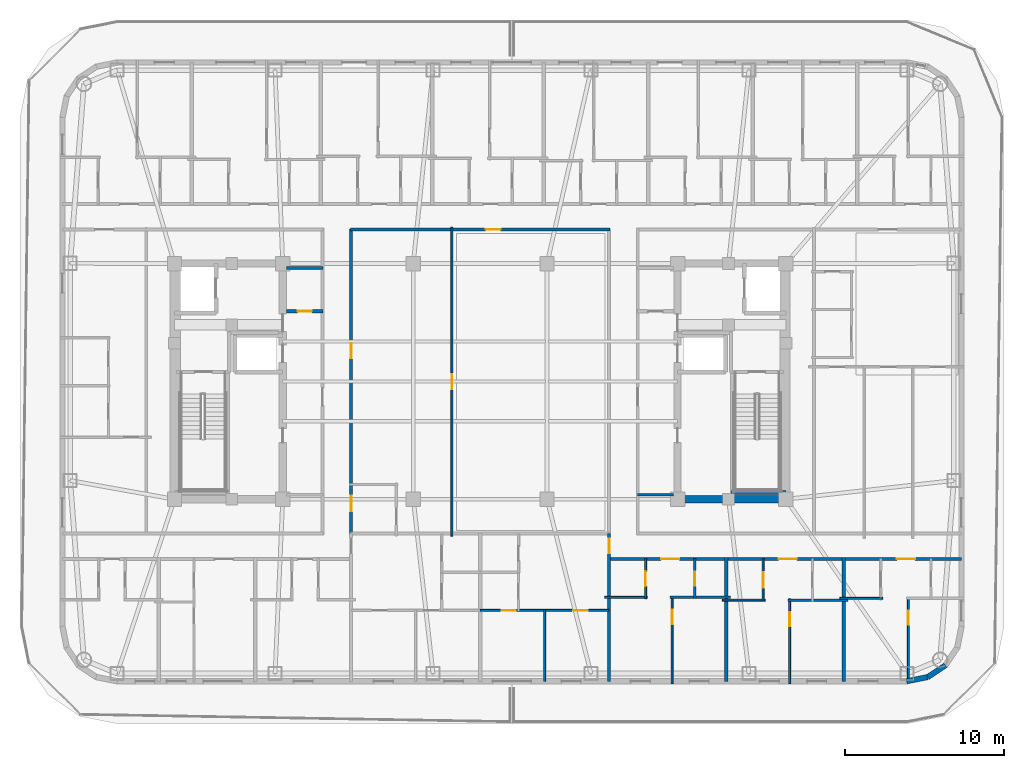
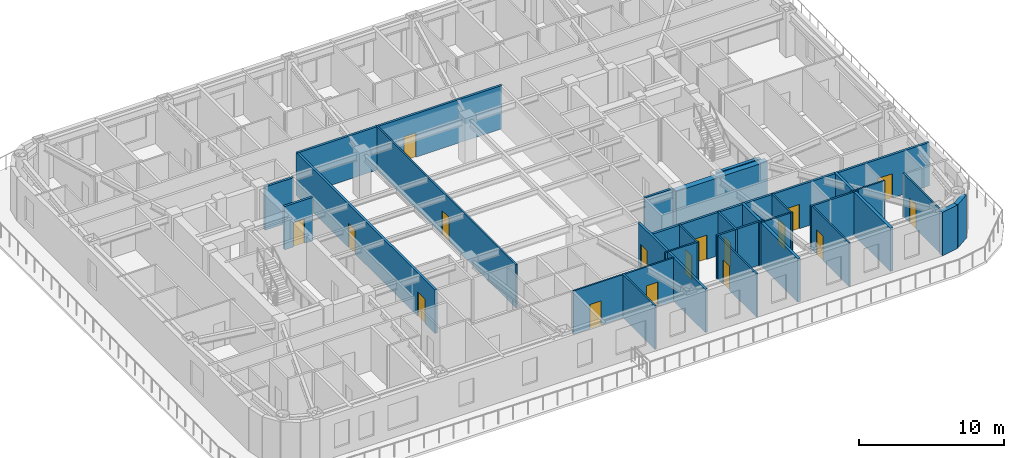
# One storey, part 5 of 15: 27 walls, 17 doors, 17 openings.
"""IFC4 building model written with IfcOpenShell, lengths in metres."""

from ifc_helpers import new_model, si_unit, direction, frame, frame_2d, origin, place, context, subcontext, project, spatial, rectangle, extrude, material, layer, layer_set, type_object, element, fill, save


model = new_model("IFC4")

# Units and contexts
model_context = context("Model", 3, precision=1e-05, world=origin(), true_north=direction((0.0, 1.0)))
body_context = subcontext(model_context, "Body", "Model", "MODEL_VIEW")
ifc_project = project(units=[si_unit("LENGTHUNIT", "METRE"), si_unit("AREAUNIT", "SQUARE_METRE"), si_unit("VOLUMEUNIT", "CUBIC_METRE"), si_unit("PLANEANGLEUNIT", "RADIAN"), si_unit("MASSUNIT", "GRAM", prefix="KILO")], contexts=[model_context])

# Site, building, storey
site_placement = place(None, origin())
site = spatial("IfcSite", under=ifc_project, at=site_placement, CompositionType="ELEMENT")
building_placement = place(site_placement, origin())
building = spatial("IfcBuilding", under=site, at=building_placement, Name="Voryun Gate Residences", CompositionType="ELEMENT")
storey_placement = place(building_placement, frame((0.0, 0.0, 231.39990234375)))
storey = spatial("IfcBuildingStorey", under=building, at=storey_placement, Name="L57", CompositionType="ELEMENT", Elevation=231.39990234375)

# Walls
ifc_material_1 = material(Name="Concrete C50/60", Category="concrete")
ifc_layer_1 = layer(ifc_material_1, 0.449951171875, Name="CW_CORE_450")
ifc_layer_set_1 = layer_set([ifc_layer_1], Name="Concrete C50/60")
wall_type_1 = type_object("IfcWallType", Name="CW_CORE_450", PredefinedType="SHEAR", material=ifc_layer_set_1)
wall_1_placement = place(storey_placement, frame((12.175048828125, -7.39990234375, 0.0), z_axis=(0.0, 0.0, 1.0), x_axis=(1.0, 0.0, 0.0)))
element("IfcWall", 1, at=wall_1_placement, inside=storey, type_object=wall_type_1, Name="L57 Core shear wall CW-L57-ES", PredefinedType="SHEAR", context=body_context, shape_type="SweptSolid", body=[
    extrude(rectangle(XDim=7.25, YDim=0.449951171875, at=frame_2d((3.625, 0.0))), origin(), (0.0, 0.0, 1.0), 3.650146484375),
])
ifc_material_2 = material(Name="Gypsum acoustic fireboard")
ifc_layer_2 = layer(ifc_material_2, 0.179931640625, Name="W_CORR_RATED_180")
ifc_layer_set_2 = layer_set([ifc_layer_2], Name="Gypsum acoustic fireboard")
wall_type_2 = type_object("IfcWallType", Name="W_CORR_RATED_180", PredefinedType="PARTITIONING", material=ifc_layer_set_2)
for number, where, z_axis, x_axis, name in (
    (2, (-12.14990234375, 7.1201171875, 0.0), (0.0, 0.0, 1.0), (1.0, 0.0, 0.0), "Partition wall WP-L57-PLBN-W"),
    (3, (9.8798828125, -7.1201171875, 0.0), (0.0, 0.0, 1.0), (1.0, 0.0, 0.0), "Partition wall WP-L57-PLBS-E"),
):
    element("IfcWall", number, at=place(storey_placement, frame(where, z_axis=z_axis, x_axis=x_axis)), inside=storey, type_object=wall_type_2, Name=name, PredefinedType="PARTITIONING", context=body_context, shape_type="SweptSolid", body=[
        extrude(rectangle(XDim=2.27001953125, YDim=0.179931640625, at=frame_2d((1.135009765625, 0.0))), origin(), (0.0, 0.0, 1.0), 3.650146484375),
    ])

# Wall, opening, door
wall_2_placement = place(storey_placement, frame((-8.14990234375, 9.5400390625, 0.0), z_axis=(0.0, 0.0, 1.0), x_axis=(1.0, 0.0, 0.0)))
wall_2 = element("IfcWall", 4, at=wall_2_placement, inside=storey, type_object=wall_type_2, Name="Partition wall WP-L57-Z3N", PredefinedType="PARTITIONING", context=body_context, shape_type="SweptSolid", body=[
    extrude(rectangle(XDim=16.2998046875, YDim=0.179931640625, at=frame_2d((8.14990234375, 0.0))), origin(), (0.0, 0.0, 1.0), 3.650146484375),
])
opening_1_placement = place(wall_2_placement, frame((8.489990234375, 0.0, 0.0)))
opening_1 = element("IfcOpeningElement", 5, at=opening_1_placement, cuts=wall_2, Name="Opening D-INT-1", PredefinedType="OPENING", context=body_context, shape_type="SweptSolid", body=[
    extrude(rectangle(XDim=0.949951171875, YDim=2.050048828125, at=frame_2d((0.47509765625, 1.02490234375))), frame((0.0, 0.099853515625, 0.0), z_axis=(0.0, -1.0, 0.0), x_axis=(1.0, 0.0, 0.0)), (0.0, 0.0, 1.0), 0.199951171875),
])
ifc_material_3 = material(Name="Architectural oak veneer")
door_type_1 = type_object("IfcDoorType", Name="DR_INT_ROOM_950", OperationType="NOTDEFINED", PredefinedType="DOOR", material=ifc_material_3)
door_1_placement = place(opening_1_placement, origin())
door_1 = element("IfcDoor", 6, at=door_1_placement, inside=storey, type_object=door_type_1, Name="Door DR-L57-CMIDZ3N", OperationType="SINGLE_SWING_LEFT", OverallHeight=2.050048828125, OverallWidth=0.949951171875, PredefinedType="DOOR", context=body_context, shape_type="SweptSolid", body=[
    extrude(rectangle(XDim=0.949951171875, YDim=2.050048828125, at=frame_2d((0.47509765625, 1.02490234375))), frame((0.0, 0.02490234375, 0.0), z_axis=(0.0, -1.0, 0.0), x_axis=(1.0, 0.0, 0.0)), (0.0, 0.0, 1.0), 0.050048828125),
])
fill(opening_1, door_1)

# Wall, openings, doors
wall_3_placement = place(storey_placement, frame((-8.10009765625, -9.580078125, 0.0), z_axis=(0.0, 0.0, 1.0), x_axis=(0.0, 1.0, 0.0)))
wall_3 = element("IfcWall", 7, at=wall_3_placement, inside=storey, type_object=wall_type_2, Name="Partition wall WP-L57-Z3W", PredefinedType="PARTITIONING", context=body_context, shape_type="SweptSolid", body=[
    extrude(rectangle(XDim=19.16015625, YDim=0.179931640625, at=frame_2d((9.580078125, 0.0))), origin(), (0.0, 0.0, 1.0), 3.650146484375),
])
opening_2_placement = place(wall_3_placement, frame((1.416015625, 0.0, 0.0)))
opening_2 = element("IfcOpeningElement", 8, at=opening_2_placement, cuts=wall_3, Name="Opening D-AWC-1", PredefinedType="OPENING", context=body_context, shape_type="SweptSolid", body=[
    extrude(rectangle(XDim=1.0, YDim=2.050048828125, at=frame_2d((0.5, 1.02490234375))), frame((0.0, 0.099853515625, 0.0), z_axis=(0.0, -1.0, 0.0), x_axis=(1.0, 0.0, 0.0)), (0.0, 0.0, 1.0), 0.199951171875),
])
opening_3_placement = place(wall_3_placement, frame((11.02099609375, 0.0, 0.0)))
opening_3 = element("IfcOpeningElement", 9, at=opening_3_placement, cuts=wall_3, Name="Opening D-INT-1", PredefinedType="OPENING", context=body_context, shape_type="SweptSolid", body=[
    extrude(rectangle(XDim=0.949951171875, YDim=2.050048828125, at=frame_2d((0.47509765625, 1.02490234375))), frame((0.0, 0.099853515625, 0.0), z_axis=(0.0, -1.0, 0.0), x_axis=(1.0, 0.0, 0.0)), (0.0, 0.0, 1.0), 0.199951171875),
])
ifc_material_4 = material(Name="Architectural oak veneer")
door_type_2 = type_object("IfcDoorType", Name="DR_ACC_WC_1000", OperationType="NOTDEFINED", PredefinedType="DOOR", material=ifc_material_4)
door_2_placement = place(opening_2_placement, origin())
door_2 = element("IfcDoor", 10, at=door_2_placement, inside=storey, type_object=door_type_2, Name="Door DR-L57-CMWC-D", OperationType="SINGLE_SWING_LEFT", OverallHeight=2.050048828125, OverallWidth=1.0, PredefinedType="DOOR", context=body_context, shape_type="SweptSolid", body=[
    extrude(rectangle(XDim=1.0, YDim=2.050048828125, at=frame_2d((0.5, 1.02490234375))), frame((0.0, 0.02490234375, 0.0), z_axis=(0.0, -1.0, 0.0), x_axis=(1.0, 0.0, 0.0)), (0.0, 0.0, 1.0), 0.050048828125),
])
fill(opening_2, door_2)
door_3_placement = place(opening_3_placement, origin())
door_3 = element("IfcDoor", 11, at=door_3_placement, inside=storey, type_object=door_type_1, Name="Door DR-L57-CMIDZ3W", OperationType="SINGLE_SWING_RIGHT", OverallHeight=2.050048828125, OverallWidth=0.949951171875, PredefinedType="DOOR", context=body_context, shape_type="SweptSolid", body=[
    extrude(rectangle(XDim=0.949951171875, YDim=2.050048828125, at=frame_2d((0.47509765625, 1.02490234375))), frame((0.0, 0.02490234375, 0.0), z_axis=(0.0, -1.0, 0.0), x_axis=(1.0, 0.0, 0.0)), (0.0, 0.0, 1.0), 0.050048828125),
])
fill(opening_3, door_3)

wall_4_placement = place(storey_placement, frame((8.080078125, -11.14990234375, 0.0), z_axis=(0.0, 0.0, 1.0), x_axis=(1.0, 0.0, 0.0)))
wall_4 = element("IfcWall", 12, at=wall_4_placement, inside=storey, type_object=wall_type_2, Name="Partition wall WP-L57-SCORR-E", PredefinedType="PARTITIONING", context=body_context, shape_type="SweptSolid", body=[
    extrude(rectangle(XDim=22.14990234375, YDim=0.179931640625, at=frame_2d((11.074951171875, 0.0))), origin(), (0.0, 0.0, 1.0), 3.650146484375),
])
opening_4_placement = place(wall_4_placement, frame((3.283447265625, 0.0, 0.0)))
opening_4 = element("IfcOpeningElement", 13, at=opening_4_placement, cuts=wall_4, Name="Opening D-UNIT-1", PredefinedType="OPENING", context=body_context, shape_type="SweptSolid", body=[
    extrude(rectangle(XDim=1.14990234375, YDim=2.050048828125, at=frame_2d((0.574951171875, 1.02490234375))), frame((0.0, 0.099853515625, 0.0), z_axis=(0.0, -1.0, 0.0), x_axis=(1.0, 0.0, 0.0)), (0.0, 0.0, 1.0), 0.199951171875),
])
opening_5_placement = place(wall_4_placement, frame((10.668212890625, 0.0, 0.0)))
opening_5 = element("IfcOpeningElement", 14, at=opening_5_placement, cuts=wall_4, Name="Opening D-UNIT-1", PredefinedType="OPENING", context=body_context, shape_type="SweptSolid", body=[
    extrude(rectangle(XDim=1.14990234375, YDim=2.050048828125, at=frame_2d((0.574951171875, 1.02490234375))), frame((0.0, 0.099853515625, 0.0), z_axis=(0.0, -1.0, 0.0), x_axis=(1.0, 0.0, 0.0)), (0.0, 0.0, 1.0), 0.199951171875),
])
opening_6_placement = place(wall_4_placement, frame((18.084228515625, 0.0, 0.0)))
opening_6 = element("IfcOpeningElement", 15, at=opening_6_placement, cuts=wall_4, Name="Opening D-UNIT-1", PredefinedType="OPENING", context=body_context, shape_type="SweptSolid", body=[
    extrude(rectangle(XDim=1.14990234375, YDim=2.050048828125, at=frame_2d((0.574951171875, 1.02490234375))), frame((0.0, 0.099853515625, 0.0), z_axis=(0.0, -1.0, 0.0), x_axis=(1.0, 0.0, 0.0)), (0.0, 0.0, 1.0), 0.199951171875),
])
ifc_material_5 = material(Name="Armoured timber-clad fire door", Category="wood")
door_type_3 = type_object("IfcDoorType", Name="DR_UNIT_ENTRY_1150", OperationType="NOTDEFINED", PredefinedType="DOOR", material=ifc_material_5)
door_4_placement = place(opening_4_placement, origin())
door_4 = element("IfcDoor", 16, at=door_4_placement, inside=storey, type_object=door_type_3, Name="Door DR-L57-SENT-5", OperationType="SINGLE_SWING_RIGHT", OverallHeight=2.050048828125, OverallWidth=1.14990234375, PredefinedType="DOOR", context=body_context, shape_type="SweptSolid", body=[
    extrude(rectangle(XDim=1.14990234375, YDim=2.050048828125, at=frame_2d((0.574951171875, 1.02490234375))), frame((0.0, 0.02490234375, 0.0), z_axis=(0.0, -1.0, 0.0), x_axis=(1.0, 0.0, 0.0)), (0.0, 0.0, 1.0), 0.050048828125),
])
fill(opening_4, door_4)
door_5_placement = place(opening_5_placement, origin())
door_5 = element("IfcDoor", 17, at=door_5_placement, inside=storey, type_object=door_type_3, Name="Door DR-L57-SENT-6", OperationType="SINGLE_SWING_LEFT", OverallHeight=2.050048828125, OverallWidth=1.14990234375, PredefinedType="DOOR", context=body_context, shape_type="SweptSolid", body=[
    extrude(rectangle(XDim=1.14990234375, YDim=2.050048828125, at=frame_2d((0.574951171875, 1.02490234375))), frame((0.0, 0.02490234375, 0.0), z_axis=(0.0, -1.0, 0.0), x_axis=(1.0, 0.0, 0.0)), (0.0, 0.0, 1.0), 0.050048828125),
])
fill(opening_5, door_5)
door_6_placement = place(opening_6_placement, origin())
door_6 = element("IfcDoor", 18, at=door_6_placement, inside=storey, type_object=door_type_3, Name="Door DR-L57-SENT-7", OperationType="SINGLE_SWING_RIGHT", OverallHeight=2.050048828125, OverallWidth=1.14990234375, PredefinedType="DOOR", context=body_context, shape_type="SweptSolid", body=[
    extrude(rectangle(XDim=1.14990234375, YDim=2.050048828125, at=frame_2d((0.574951171875, 1.02490234375))), frame((0.0, 0.02490234375, 0.0), z_axis=(0.0, -1.0, 0.0), x_axis=(1.0, 0.0, 0.0)), (0.0, 0.0, 1.0), 0.050048828125),
])
fill(opening_6, door_6)

# Wall, opening, door
wall_5_placement = place(storey_placement, frame((8.10009765625, -18.830078125, 0.0), z_axis=(0.0, 0.0, 1.0), x_axis=(0.0, 1.0, 0.0)))
wall_5 = element("IfcWall", 19, at=wall_5_placement, inside=storey, type_object=wall_type_2, Name="Partition wall WP-L57-SZV-2", PredefinedType="PARTITIONING", context=body_context, shape_type="SweptSolid", body=[
    extrude(rectangle(XDim=9.2900390625, YDim=0.179931640625, at=frame_2d((4.64501953125, 0.0))), origin(), (0.0, 0.0, 1.0), 3.650146484375),
])
opening_7_placement = place(wall_5_placement, frame((8.0400390625, 0.0, 0.0)))
opening_7 = element("IfcOpeningElement", 20, at=opening_7_placement, cuts=wall_5, Name="Opening D-INT-2", PredefinedType="OPENING", context=body_context, shape_type="SweptSolid", body=[
    extrude(rectangle(XDim=0.89990234375, YDim=2.050048828125, at=frame_2d((0.449951171875, 1.02490234375))), frame((0.0, 0.099853515625, 0.0), z_axis=(0.0, -1.0, 0.0), x_axis=(1.0, 0.0, 0.0)), (0.0, 0.0, 1.0), 0.199951171875),
])
ifc_material_6 = material(Name="Architectural oak veneer")
door_type_4 = type_object("IfcDoorType", Name="DR_INT_BATH_900", OperationType="NOTDEFINED", PredefinedType="DOOR", material=ifc_material_6)
door_7_placement = place(opening_7_placement, origin())
door_7 = element("IfcDoor", 21, at=door_7_placement, inside=storey, type_object=door_type_4, Name="Door DR-L57-SZENT-2", OperationType="SINGLE_SWING_RIGHT", OverallHeight=2.050048828125, OverallWidth=0.89990234375, PredefinedType="DOOR", context=body_context, shape_type="SweptSolid", body=[
    extrude(rectangle(XDim=0.89990234375, YDim=2.050048828125, at=frame_2d((0.449951171875, 1.02490234375))), frame((0.0, 0.02490234375, 0.0), z_axis=(0.0, -1.0, 0.0), x_axis=(1.0, 0.0, 0.0)), (0.0, 0.0, 1.0), 0.050048828125),
])
fill(opening_7, door_7)

# Walls
ifc_material_7 = material(Name="Charcoal terracotta masonry", Category="masonry")
ifc_layer_3 = layer(ifc_material_7, 0.340087890625, Name="W_EXT_TERRACOTTA_340")
ifc_layer_set_3 = layer_set([ifc_layer_3], Name="Charcoal terracotta masonry")
wall_type_3 = type_object("IfcWallType", Name="W_EXT_TERRACOTTA_340", PredefinedType="ELEMENTEDWALL", material=ifc_layer_set_3)
wall_6_placement = place(storey_placement, frame((29.222900390625, -17.822998046875, 0.0), z_axis=(0.0, 0.0, 1.0), x_axis=(-0.831403586725, -0.555669034571, 0.0)))
element("IfcWall", 22, at=wall_6_placement, inside=storey, type_object=wall_type_3, Name="Exterior wall WEXT-L57-19", PredefinedType="ELEMENTEDWALL", context=body_context, shape_type="SweptSolid", body=[
    extrude(rectangle(XDim=1.3369140625, YDim=0.340087890625, at=frame_2d((0.66845703125, 0.0))), origin(), (0.0, 0.0, 1.0), 3.650146484375),
])
wall_7_placement = place(storey_placement, frame((28.111328125, -18.56591796875, 0.0), z_axis=(0.0, 0.0, 1.0), x_axis=(-0.980788153188, -0.195075878998, 0.0)))
element("IfcWall", 23, at=wall_7_placement, inside=storey, type_object=wall_type_3, Name="Exterior wall WEXT-L57-20", PredefinedType="ELEMENTEDWALL", context=body_context, shape_type="SweptSolid", body=[
    extrude(rectangle(XDim=1.354248046875, YDim=0.340087890625, at=frame_2d((0.67724609375, 0.0))), origin(), (0.0, 0.0, 1.0), 3.650146484375),
])

# Wall, opening, door
ifc_material_8 = material(Name="Concrete C40/50", Category="concrete")
ifc_layer_4 = layer(ifc_material_8, 0.199951171875, Name="W_FF_LOBBY_200")
ifc_layer_set_4 = layer_set([ifc_layer_4], Name="Concrete C40/50")
wall_type_4 = type_object("IfcWallType", Name="W_FF_LOBBY_200", PredefinedType="PARTITIONING", material=ifc_layer_set_4)
wall_8_placement = place(storey_placement, frame((-12.14990234375, 4.409912109375, 0.0), z_axis=(0.0, 0.0, 1.0), x_axis=(1.0, 0.0, 0.0)))
wall_8 = element("IfcWall", 24, at=wall_8_placement, inside=storey, type_object=wall_type_4, Name="Partition wall WP-L57-CSFLKS-W", PredefinedType="PARTITIONING", context=body_context, shape_type="SweptSolid", body=[
    extrude(rectangle(XDim=2.27001953125, YDim=0.199951171875, at=frame_2d((1.135009765625, 0.0))), origin(), (0.0, 0.0, 1.0), 3.650146484375),
])
opening_8_placement = place(wall_8_placement, frame((0.68505859375, 0.0, 0.0)))
opening_8 = element("IfcOpeningElement", 25, at=opening_8_placement, cuts=wall_8, Name="Opening D-FD60-4", PredefinedType="OPENING", context=body_context, shape_type="SweptSolid", body=[
    extrude(rectangle(XDim=0.89990234375, YDim=2.050048828125, at=frame_2d((0.449951171875, 1.02490234375))), frame((0.0, 0.110107421875, 0.0), z_axis=(0.0, -1.0, 0.0), x_axis=(1.0, 0.0, 0.0)), (0.0, 0.0, 1.0), 0.219970703125),
])
ifc_material_9 = material(Name="Painted steel fire door", Category="steel")
door_type_5 = type_object("IfcDoorType", Name="DR_FD60_RISER_900", OperationType="NOTDEFINED", PredefinedType="DOOR", material=ifc_material_9)
door_8_placement = place(opening_8_placement, origin())
door_8 = element("IfcDoor", 26, at=door_8_placement, inside=storey, type_object=door_type_5, Name="Door DR-L57-CSFLK-W", OperationType="SINGLE_SWING_LEFT", OverallHeight=2.050048828125, OverallWidth=0.89990234375, PredefinedType="DOOR", context=body_context, shape_type="SweptSolid", body=[
    extrude(rectangle(XDim=0.89990234375, YDim=2.050048828125, at=frame_2d((0.449951171875, 1.02490234375))), frame((0.0, 0.02490234375, 0.0), z_axis=(0.0, -1.0, 0.0), x_axis=(1.0, 0.0, 0.0)), (0.0, 0.0, 1.0), 0.050048828125),
])
fill(opening_8, door_8)

# Walls
ifc_material_10 = material(Name="Concrete C40/50", Category="concrete")
ifc_layer_5 = layer(ifc_material_10, 0.219970703125, Name="W_PARTY_ACOUSTIC_220")
ifc_layer_set_5 = layer_set([ifc_layer_5], Name="Concrete C40/50")
wall_type_5 = type_object("IfcWallType", Name="W_PARTY_ACOUSTIC_220", PredefinedType="PARTITIONING", material=ifc_layer_set_5)
for number, where, z_axis, x_axis, name in (
    (27, (15.466064453125, -18.830078125, 0.0), (0.0, 0.0, 1.0), (0.0, 1.0, 0.0), "Partition wall WP-L57-SPTY-5"),
    (28, (22.85107421875, -18.830078125, 0.0), (0.0, 0.0, 1.0), (0.0, 1.0, 0.0), "Partition wall WP-L57-SPTY-6"),
):
    element("IfcWall", number, at=place(storey_placement, frame(where, z_axis=z_axis, x_axis=x_axis)), inside=storey, type_object=wall_type_5, Name=name, PredefinedType="PARTITIONING", context=body_context, shape_type="SweptSolid", body=[
        extrude(rectangle(XDim=7.760009765625, YDim=0.219970703125, at=frame_2d((3.8798828125, 0.0))), origin(), (0.0, 0.0, 1.0), 3.650146484375),
    ])
ifc_material_11 = material(Name="Concrete C50/60", Category="concrete")
ifc_layer_6 = layer(ifc_material_11, 0.25, Name="W_SHAFT_RC250")
ifc_layer_set_6 = layer_set([ifc_layer_6], Name="Concrete C50/60")
wall_type_6 = type_object("IfcWallType", Name="W_SHAFT_RC250", PredefinedType="SOLIDWALL", material=ifc_layer_set_6)
wall_9_placement = place(storey_placement, frame((15.739990234375, -6.965087890625, 0.0), z_axis=(0.0, 0.0, 1.0), x_axis=(1.0, 0.0, 0.0)))
element("IfcWall", 29, at=wall_9_placement, inside=storey, type_object=wall_type_6, Name="L57 Stair shaft structural wall E-STS", PredefinedType="SOLIDWALL", context=body_context, shape_type="SweptSolid", body=[
    extrude(rectangle(XDim=3.4599609375, YDim=0.25, at=frame_2d((1.72998046875, 0.0))), origin(), (0.0, 0.0, 1.0), 3.650146484375),
])

# Wall, opening, door
ifc_material_12 = material(Name="Gypsum acoustic partition")
ifc_layer_7 = layer(ifc_material_12, 0.125, Name="W_UNIT_PART_125")
ifc_layer_set_7 = layer_set([ifc_layer_7], Name="Gypsum acoustic partition")
wall_type_7 = type_object("IfcWallType", Name="W_UNIT_PART_125", PredefinedType="PARTITIONING", material=ifc_layer_set_7)
wall_10_placement = place(storey_placement, frame((-1.77294921875, -9.719970703125, 0.0), z_axis=(0.0, 0.0, 1.0), x_axis=(0.0, 1.0, 0.0)))
wall_10 = element("IfcWall", 30, at=wall_10_placement, inside=storey, type_object=wall_type_7, Name="Partition wall WP-L57-MIDX-0", PredefinedType="PARTITIONING", context=body_context, shape_type="SweptSolid", body=[
    extrude(rectangle(XDim=19.389892578125, YDim=0.125, at=frame_2d((9.69482421875, 0.0))), origin(), (0.0, 0.0, 1.0), 3.650146484375),
])
opening_9_placement = place(wall_10_placement, frame((9.219970703125, 0.0, 0.0)))
opening_9 = element("IfcOpeningElement", 31, at=opening_9_placement, cuts=wall_10, Name="Opening D-INT-1", PredefinedType="OPENING", context=body_context, shape_type="SweptSolid", body=[
    extrude(rectangle(XDim=0.949951171875, YDim=2.050048828125, at=frame_2d((0.47509765625, 1.02490234375))), frame((0.0, 0.072509765625, 0.0), z_axis=(0.0, -1.0, 0.0), x_axis=(1.0, 0.0, 0.0)), (0.0, 0.0, 1.0), 0.14501953125),
])
door_9_placement = place(opening_9_placement, origin())
door_9 = element("IfcDoor", 32, at=door_9_placement, inside=storey, type_object=door_type_1, Name="Door DR-L57-MIDX-0", OperationType="SINGLE_SWING_LEFT", OverallHeight=2.050048828125, OverallWidth=0.949951171875, PredefinedType="DOOR", context=body_context, shape_type="SweptSolid", body=[
    extrude(rectangle(XDim=0.949951171875, YDim=2.050048828125, at=frame_2d((0.47509765625, 1.02490234375))), frame((0.0, 0.02490234375, 0.0), z_axis=(0.0, -1.0, 0.0), x_axis=(1.0, 0.0, 0.0)), (0.0, 0.0, 1.0), 0.050048828125),
])
fill(opening_9, door_9)

wall_11_placement = place(storey_placement, frame((12.055908203125, -18.97998046875, 0.0), z_axis=(0.0, 0.0, 1.0), x_axis=(0.0, 1.0, 0.0)))
wall_11 = element("IfcWall", 33, at=wall_11_placement, inside=storey, type_object=wall_type_7, Name="Partition wall WP-L57-S5-OVR", PredefinedType="PARTITIONING", context=body_context, shape_type="SweptSolid", body=[
    extrude(rectangle(XDim=5.493896484375, YDim=0.125, at=frame_2d((2.7470703125, 0.0))), origin(), (0.0, 0.0, 1.0), 3.650146484375),
])
opening_10_placement = place(wall_11_placement, frame((3.725341796875, 0.0, 0.0)))
opening_10 = element("IfcOpeningElement", 34, at=opening_10_placement, cuts=wall_11, Name="Opening D-INT-2", PredefinedType="OPENING", context=body_context, shape_type="SweptSolid", body=[
    extrude(rectangle(XDim=0.89990234375, YDim=2.050048828125, at=frame_2d((0.449951171875, 1.02490234375))), frame((0.0, 0.072509765625, 0.0), z_axis=(0.0, -1.0, 0.0), x_axis=(1.0, 0.0, 0.0)), (0.0, 0.0, 1.0), 0.14501953125),
])
door_10_placement = place(opening_10_placement, origin())
door_10 = element("IfcDoor", 35, at=door_10_placement, inside=storey, type_object=door_type_4, Name="Door DR-L57-S5-DMB", OperationType="SINGLE_SWING_RIGHT", OverallHeight=2.050048828125, OverallWidth=0.89990234375, PredefinedType="DOOR", context=body_context, shape_type="SweptSolid", body=[
    extrude(rectangle(XDim=0.89990234375, YDim=2.050048828125, at=frame_2d((0.449951171875, 1.02490234375))), frame((0.0, 0.02490234375, 0.0), z_axis=(0.0, -1.0, 0.0), x_axis=(1.0, 0.0, 0.0)), (0.0, 0.0, 1.0), 0.050048828125),
])
fill(opening_10, door_10)

wall_12_placement = place(storey_placement, frame((10.389892578125, -13.64599609375, 0.0), z_axis=(0.0, 0.0, 1.0), x_axis=(0.0, 1.0, 0.0)))
wall_12 = element("IfcWall", 36, at=wall_12_placement, inside=storey, type_object=wall_type_7, Name="Partition wall WP-L57-S5-IVK", PredefinedType="PARTITIONING", context=body_context, shape_type="SweptSolid", body=[
    extrude(rectangle(XDim=2.51611328125, YDim=0.125, at=frame_2d((1.258056640625, 0.0))), origin(), (0.0, 0.0, 1.0), 3.650146484375),
])
opening_11_placement = place(wall_12_placement, frame((0.782958984375, 0.0, 0.0)))
opening_11 = element("IfcOpeningElement", 37, at=opening_11_placement, cuts=wall_12, Name="Opening D-INT-1", PredefinedType="OPENING", context=body_context, shape_type="SweptSolid", body=[
    extrude(rectangle(XDim=0.949951171875, YDim=2.050048828125, at=frame_2d((0.47509765625, 1.02490234375))), frame((0.0, 0.072509765625, 0.0), z_axis=(0.0, -1.0, 0.0), x_axis=(1.0, 0.0, 0.0)), (0.0, 0.0, 1.0), 0.14501953125),
])
door_11_placement = place(opening_11_placement, origin())
door_11 = element("IfcDoor", 38, at=door_11_placement, inside=storey, type_object=door_type_1, Name="Door DR-L57-S5-DK", OperationType="SINGLE_SWING_LEFT", OverallHeight=2.050048828125, OverallWidth=0.949951171875, PredefinedType="DOOR", context=body_context, shape_type="SweptSolid", body=[
    extrude(rectangle(XDim=0.949951171875, YDim=2.050048828125, at=frame_2d((0.47509765625, 1.02490234375))), frame((0.0, 0.02490234375, 0.0), z_axis=(0.0, -1.0, 0.0), x_axis=(1.0, 0.0, 0.0)), (0.0, 0.0, 1.0), 0.050048828125),
])
fill(opening_11, door_11)

# Wall
wall_13_placement = place(storey_placement, frame((7.820068359375, -13.56591796875, 0.0), z_axis=(0.0, 0.0, 1.0), x_axis=(1.0, 0.0, 0.0)))
element("IfcWall", 39, at=wall_13_placement, inside=storey, type_object=wall_type_7, Name="Partition wall WP-L57-S5-HZK", PredefinedType="PARTITIONING", context=body_context, shape_type="SweptSolid", body=[
    extrude(rectangle(XDim=2.68994140625, YDim=0.125, at=frame_2d((1.344970703125, 0.0))), origin(), (0.0, 0.0, 1.0), 3.650146484375),
])

# Wall, opening, door
wall_14_placement = place(storey_placement, frame((19.44091796875, -18.97998046875, 0.0), z_axis=(0.0, 0.0, 1.0), x_axis=(0.0, 1.0, 0.0)))
wall_14 = element("IfcWall", 40, at=wall_14_placement, inside=storey, type_object=wall_type_7, Name="Partition wall WP-L57-S6-OVR", PredefinedType="PARTITIONING", context=body_context, shape_type="SweptSolid", body=[
    extrude(rectangle(XDim=5.322021484375, YDim=0.125, at=frame_2d((2.6611328125, 0.0))), origin(), (0.0, 0.0, 1.0), 3.650146484375),
])
opening_12_placement = place(wall_14_placement, frame((3.5947265625, 0.0, 0.0)))
opening_12 = element("IfcOpeningElement", 41, at=opening_12_placement, cuts=wall_14, Name="Opening D-INT-2", PredefinedType="OPENING", context=body_context, shape_type="SweptSolid", body=[
    extrude(rectangle(XDim=0.89990234375, YDim=2.050048828125, at=frame_2d((0.449951171875, 1.02490234375))), frame((0.0, 0.072509765625, 0.0), z_axis=(0.0, -1.0, 0.0), x_axis=(1.0, 0.0, 0.0)), (0.0, 0.0, 1.0), 0.14501953125),
])
door_12_placement = place(opening_12_placement, origin())
door_12 = element("IfcDoor", 42, at=door_12_placement, inside=storey, type_object=door_type_4, Name="Door DR-L57-S6-DMB", OperationType="SINGLE_SWING_RIGHT", OverallHeight=2.050048828125, OverallWidth=0.89990234375, PredefinedType="DOOR", context=body_context, shape_type="SweptSolid", body=[
    extrude(rectangle(XDim=0.89990234375, YDim=2.050048828125, at=frame_2d((0.449951171875, 1.02490234375))), frame((0.0, 0.02490234375, 0.0), z_axis=(0.0, -1.0, 0.0), x_axis=(1.0, 0.0, 0.0)), (0.0, 0.0, 1.0), 0.050048828125),
])
fill(opening_12, door_12)

wall_15_placement = place(storey_placement, frame((17.77587890625, -13.818115234375, 0.0), z_axis=(0.0, 0.0, 1.0), x_axis=(0.0, 1.0, 0.0)))
wall_15 = element("IfcWall", 43, at=wall_15_placement, inside=storey, type_object=wall_type_7, Name="Partition wall WP-L57-S6-IVK", PredefinedType="PARTITIONING", context=body_context, shape_type="SweptSolid", body=[
    extrude(rectangle(XDim=2.688232421875, YDim=0.125, at=frame_2d((1.34423828125, 0.0))), origin(), (0.0, 0.0, 1.0), 3.650146484375),
])
opening_13_placement = place(wall_15_placement, frame((0.868896484375, 0.0, 0.0)))
opening_13 = element("IfcOpeningElement", 44, at=opening_13_placement, cuts=wall_15, Name="Opening D-INT-1", PredefinedType="OPENING", context=body_context, shape_type="SweptSolid", body=[
    extrude(rectangle(XDim=0.949951171875, YDim=2.050048828125, at=frame_2d((0.47509765625, 1.02490234375))), frame((0.0, 0.072509765625, 0.0), z_axis=(0.0, -1.0, 0.0), x_axis=(1.0, 0.0, 0.0)), (0.0, 0.0, 1.0), 0.14501953125),
])
door_13_placement = place(opening_13_placement, origin())
door_13 = element("IfcDoor", 45, at=door_13_placement, inside=storey, type_object=door_type_1, Name="Door DR-L57-S6-DK", OperationType="SINGLE_SWING_LEFT", OverallHeight=2.050048828125, OverallWidth=0.949951171875, PredefinedType="DOOR", context=body_context, shape_type="SweptSolid", body=[
    extrude(rectangle(XDim=0.949951171875, YDim=2.050048828125, at=frame_2d((0.47509765625, 1.02490234375))), frame((0.0, 0.02490234375, 0.0), z_axis=(0.0, -1.0, 0.0), x_axis=(1.0, 0.0, 0.0)), (0.0, 0.0, 1.0), 0.050048828125),
])
fill(opening_13, door_13)

# Wall
wall_16_placement = place(storey_placement, frame((15.2060546875, -13.738037109375, 0.0), z_axis=(0.0, 0.0, 1.0), x_axis=(1.0, 0.0, 0.0)))
element("IfcWall", 46, at=wall_16_placement, inside=storey, type_object=wall_type_7, Name="Partition wall WP-L57-S6-HZK", PredefinedType="PARTITIONING", context=body_context, shape_type="SweptSolid", body=[
    extrude(rectangle(XDim=2.68994140625, YDim=0.125, at=frame_2d((1.344970703125, 0.0))), origin(), (0.0, 0.0, 1.0), 3.650146484375),
])

# Wall, opening, door
wall_17_placement = place(storey_placement, frame((26.886962890625, -18.96240234375, 0.0), z_axis=(0.0, 0.0, 1.0), x_axis=(0.0, 1.0, 0.0)))
wall_17 = element("IfcWall", 47, at=wall_17_placement, inside=storey, type_object=wall_type_7, Name="Partition wall WP-L57-S7-OVR", PredefinedType="PARTITIONING", context=body_context, shape_type="SweptSolid", body=[
    extrude(rectangle(XDim=5.41943359375, YDim=0.125, at=frame_2d((2.709716796875, 0.0))), origin(), (0.0, 0.0, 1.0), 3.650146484375),
])
opening_14_placement = place(wall_17_placement, frame((3.668701171875, 0.0, 0.0)))
opening_14 = element("IfcOpeningElement", 48, at=opening_14_placement, cuts=wall_17, Name="Opening D-INT-2", PredefinedType="OPENING", context=body_context, shape_type="SweptSolid", body=[
    extrude(rectangle(XDim=0.89990234375, YDim=2.050048828125, at=frame_2d((0.449951171875, 1.02490234375))), frame((0.0, 0.072509765625, 0.0), z_axis=(0.0, -1.0, 0.0), x_axis=(1.0, 0.0, 0.0)), (0.0, 0.0, 1.0), 0.14501953125),
])
door_14_placement = place(opening_14_placement, origin())
door_14 = element("IfcDoor", 49, at=door_14_placement, inside=storey, type_object=door_type_4, Name="Door DR-L57-S7-DMB", OperationType="SINGLE_SWING_RIGHT", OverallHeight=2.050048828125, OverallWidth=0.89990234375, PredefinedType="DOOR", context=body_context, shape_type="SweptSolid", body=[
    extrude(rectangle(XDim=0.89990234375, YDim=2.050048828125, at=frame_2d((0.449951171875, 1.02490234375))), frame((0.0, 0.02490234375, 0.0), z_axis=(0.0, -1.0, 0.0), x_axis=(1.0, 0.0, 0.0)), (0.0, 0.0, 1.0), 0.050048828125),
])
fill(opening_14, door_14)

# Wall
wall_18_placement = place(storey_placement, frame((22.591064453125, -13.623046875, 0.0), z_axis=(0.0, 0.0, 1.0), x_axis=(1.0, 0.0, 0.0)))
element("IfcWall", 50, at=wall_18_placement, inside=storey, type_object=wall_type_7, Name="Partition wall WP-L57-S7-HZK", PredefinedType="PARTITIONING", context=body_context, shape_type="SweptSolid", body=[
    extrude(rectangle(XDim=2.68994140625, YDim=0.125, at=frame_2d((1.344970703125, 0.0))), origin(), (0.0, 0.0, 1.0), 3.650146484375),
])

# Wall, openings, doors
wall_19_placement = place(storey_placement, frame((0.02001953125, -14.3798828125, 0.0), z_axis=(0.0, 0.0, 1.0), x_axis=(1.0, 0.0, 0.0)))
wall_19 = element("IfcWall", 51, at=wall_19_placement, inside=storey, type_object=wall_type_7, Name="Partition wall WP-L57-SC2-HZ", PredefinedType="PARTITIONING", context=body_context, shape_type="SweptSolid", body=[
    extrude(rectangle(XDim=8.06005859375, YDim=0.125, at=frame_2d((4.030029296875, 0.0))), origin(), (0.0, 0.0, 1.0), 3.650146484375),
])
opening_15_placement = place(wall_19_placement, frame((1.3232421875, 0.0, 0.0)))
opening_15 = element("IfcOpeningElement", 52, at=opening_15_placement, cuts=wall_19, Name="Opening D-INT-2", PredefinedType="OPENING", context=body_context, shape_type="SweptSolid", body=[
    extrude(rectangle(XDim=0.89990234375, YDim=2.050048828125, at=frame_2d((0.449951171875, 1.02490234375))), frame((0.0, 0.072509765625, 0.0), z_axis=(0.0, -1.0, 0.0), x_axis=(1.0, 0.0, 0.0)), (0.0, 0.0, 1.0), 0.14501953125),
])
opening_16_placement = place(wall_19_placement, frame((5.8369140625, 0.0, 0.0)))
opening_16 = element("IfcOpeningElement", 53, at=opening_16_placement, cuts=wall_19, Name="Opening D-INT-2", PredefinedType="OPENING", context=body_context, shape_type="SweptSolid", body=[
    extrude(rectangle(XDim=0.89990234375, YDim=2.050048828125, at=frame_2d((0.449951171875, 1.02490234375))), frame((0.0, 0.072509765625, 0.0), z_axis=(0.0, -1.0, 0.0), x_axis=(1.0, 0.0, 0.0)), (0.0, 0.0, 1.0), 0.14501953125),
])
door_15_placement = place(opening_15_placement, origin())
door_15 = element("IfcDoor", 54, at=door_15_placement, inside=storey, type_object=door_type_4, Name="Door DR-L57-SC2-DMB", OperationType="SINGLE_SWING_LEFT", OverallHeight=2.050048828125, OverallWidth=0.89990234375, PredefinedType="DOOR", context=body_context, shape_type="SweptSolid", body=[
    extrude(rectangle(XDim=0.89990234375, YDim=2.050048828125, at=frame_2d((0.449951171875, 1.02490234375))), frame((0.0, 0.02490234375, 0.0), z_axis=(0.0, -1.0, 0.0), x_axis=(1.0, 0.0, 0.0)), (0.0, 0.0, 1.0), 0.050048828125),
])
fill(opening_15, door_15)
door_16_placement = place(opening_16_placement, origin())
door_16 = element("IfcDoor", 55, at=door_16_placement, inside=storey, type_object=door_type_4, Name="Door DR-L57-SC2-DBD2", OperationType="SINGLE_SWING_RIGHT", OverallHeight=2.050048828125, OverallWidth=0.89990234375, PredefinedType="DOOR", context=body_context, shape_type="SweptSolid", body=[
    extrude(rectangle(XDim=0.89990234375, YDim=2.050048828125, at=frame_2d((0.449951171875, 1.02490234375))), frame((0.0, 0.02490234375, 0.0), z_axis=(0.0, -1.0, 0.0), x_axis=(1.0, 0.0, 0.0)), (0.0, 0.0, 1.0), 0.050048828125),
])
fill(opening_16, door_16)

# Walls
wall_20_placement = place(storey_placement, frame((4.050048828125, -18.830078125, 0.0), z_axis=(0.0, 0.0, 1.0), x_axis=(0.0, 1.0, 0.0)))
element("IfcWall", 56, at=wall_20_placement, inside=storey, type_object=wall_type_7, Name="Partition wall WP-L57-SC2-VBD", PredefinedType="PARTITIONING", context=body_context, shape_type="SweptSolid", body=[
    extrude(rectangle(XDim=4.489990234375, YDim=0.125, at=frame_2d((2.2451171875, 0.0))), origin(), (0.0, 0.0, 1.0), 3.650146484375),
])
ifc_material_13 = material(Name="Gypsum moisture-resistant partition")
ifc_layer_8 = layer(ifc_material_13, 0.14990234375, Name="W_WET_PLUMB_150")
ifc_layer_set_8 = layer_set([ifc_layer_8], Name="Gypsum moisture-resistant partition")
wall_type_8 = type_object("IfcWallType", Name="W_WET_PLUMB_150", PredefinedType="PLUMBINGWALL", material=ifc_layer_set_8)
wall_21_placement = place(storey_placement, frame((11.93603515625, -13.56591796875, 0.0), z_axis=(0.0, 0.0, 1.0), x_axis=(1.0, 0.0, 0.0)))
element("IfcWall", 57, at=wall_21_placement, inside=storey, type_object=wall_type_8, Name="Partition wall WP-L57-S5-HZB", PredefinedType="PLUMBINGWALL", context=body_context, shape_type="SweptSolid", body=[
    extrude(rectangle(XDim=3.7900390625, YDim=0.14990234375, at=frame_2d((1.89501953125, 0.0))), origin(), (0.0, 0.0, 1.0), 3.650146484375),
])

# Wall, opening, door
wall_22_placement = place(storey_placement, frame((13.486083984375, -13.64599609375, 0.0), z_axis=(0.0, 0.0, 1.0), x_axis=(0.0, 1.0, 0.0)))
wall_22 = element("IfcWall", 58, at=wall_22_placement, inside=storey, type_object=wall_type_8, Name="Partition wall WP-L57-S5-IVB", PredefinedType="PLUMBINGWALL", context=body_context, shape_type="SweptSolid", body=[
    extrude(rectangle(XDim=2.51611328125, YDim=0.14990234375, at=frame_2d((1.258056640625, 0.0))), origin(), (0.0, 0.0, 1.0), 3.650146484375),
])
opening_17_placement = place(wall_22_placement, frame((0.80810546875, 0.0, 0.0)))
opening_17 = element("IfcOpeningElement", 59, at=opening_17_placement, cuts=wall_22, Name="Opening D-INT-2", PredefinedType="OPENING", context=body_context, shape_type="SweptSolid", body=[
    extrude(rectangle(XDim=0.89990234375, YDim=2.050048828125, at=frame_2d((0.449951171875, 1.02490234375))), frame((0.0, 0.0849609375, 0.0), z_axis=(0.0, -1.0, 0.0), x_axis=(1.0, 0.0, 0.0)), (0.0, 0.0, 1.0), 0.169921875),
])
door_17_placement = place(opening_17_placement, origin())
door_17 = element("IfcDoor", 60, at=door_17_placement, inside=storey, type_object=door_type_4, Name="Door DR-L57-S5-DB", OperationType="SINGLE_SWING_RIGHT", OverallHeight=2.050048828125, OverallWidth=0.89990234375, PredefinedType="DOOR", context=body_context, shape_type="SweptSolid", body=[
    extrude(rectangle(XDim=0.89990234375, YDim=2.050048828125, at=frame_2d((0.449951171875, 1.02490234375))), frame((0.0, 0.02490234375, 0.0), z_axis=(0.0, -1.0, 0.0), x_axis=(1.0, 0.0, 0.0)), (0.0, 0.0, 1.0), 0.050048828125),
])
fill(opening_17, door_17)

# Wall
wall_23_placement = place(storey_placement, frame((19.321044921875, -13.738037109375, 0.0), z_axis=(0.0, 0.0, 1.0), x_axis=(1.0, 0.0, 0.0)))
element("IfcWall", 61, at=wall_23_placement, inside=storey, type_object=wall_type_8, Name="Partition wall WP-L57-S6-HZB", PredefinedType="PLUMBINGWALL", context=body_context, shape_type="SweptSolid", body=[
    extrude(rectangle(XDim=3.7900390625, YDim=0.14990234375, at=frame_2d((1.89501953125, 0.0))), origin(), (0.0, 0.0, 1.0), 3.650146484375),
])

save(model, "model.ifc")
